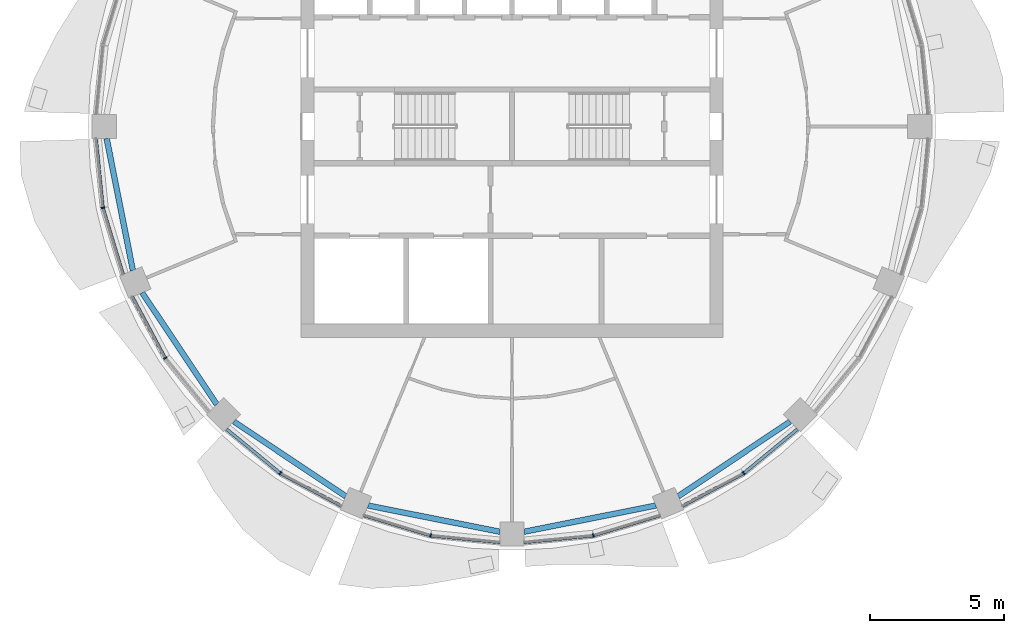
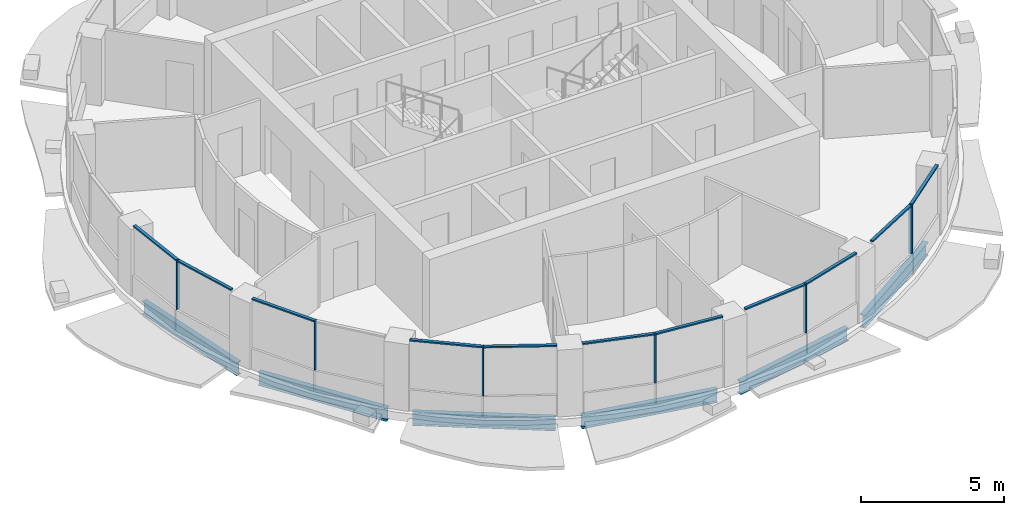
# One storey, part 2 of 14: 17 members, 6 beams, 6 elements without a shape of their own.
"""IFC4 building model written with IfcOpenShell, lengths in metres."""

from ifc_helpers import new_model, si_unit, direction, frame, origin, origin_2d, place, context, subcontext, project, spatial, rectangle, i_section, extrude, material, material_profile, profile_set, type_object, element, aggregate, save


model = new_model("IFC4")

# Units and contexts
model_context = context("Model", 3, precision=1e-05, world=origin(), true_north=direction((0.0, 1.0)))
body_context = subcontext(model_context, "Body", "Model", "MODEL_VIEW")
ifc_project = project(units=[si_unit("LENGTHUNIT", "METRE"), si_unit("AREAUNIT", "SQUARE_METRE"), si_unit("VOLUMEUNIT", "CUBIC_METRE"), si_unit("PLANEANGLEUNIT", "RADIAN"), si_unit("MASSUNIT", "GRAM", prefix="KILO")], contexts=[model_context])

# Site, building, storey
site_placement = place(None, origin())
site = spatial("IfcSite", under=ifc_project, at=site_placement, CompositionType="ELEMENT")
building_placement = place(site_placement, origin())
building = spatial("IfcBuilding", under=site, at=building_placement, Name="Polderwave Tower", CompositionType="ELEMENT")
storey_placement = place(building_placement, frame((0.0, 0.0, 221.14990234375)))
storey = spatial("IfcBuildingStorey", under=building, at=storey_placement, Name="L60", CompositionType="ELEMENT", Elevation=221.14990234375)

# Curtain wall, member
ifc_material_1 = material(Name="Aluminium 6063-T6 and glass", Category="aluminium")
curtain_wall_type = type_object("IfcCurtainWallType", Name="Office ribbon glazing wall", PredefinedType="NOTDEFINED", material=ifc_material_1)
curtain_wall_1_placement = place(storey_placement, origin())
curtain_wall_1 = element("IfcCurtainWall", 1, at=curtain_wall_1_placement, inside=storey, type_object=curtain_wall_type, Name="CW3 L60 08", PredefinedType="NOTDEFINED")
ifc_material_2 = material(Name="Aluminium 6063-T6", Category="aluminium")
ifc_material_profile_1 = material_profile(ifc_material_2, rectangle(XDim=0.139892578125, YDim=0.054931640625, at=origin_2d()), Name="AL 55x140")
ifc_profile_set_1 = profile_set([ifc_material_profile_1], Name="Aluminium 6063-T6")
member_type_1 = type_object("IfcMemberType", Name="Office ribbon glazing mullion 55x140", PredefinedType="MULLION", material=ifc_profile_set_1)
member_1_placement = place(storey_placement, frame((-15.2509765625, -3.033935546875, 0.900146484375), z_axis=(0.0, 0.0, 1.0), x_axis=(0.980784939905, 0.195092033809, 0.0)))
member_1 = element("IfcMember", 2, at=member_1_placement, type_object=member_type_1, Name="CW3 mullion 1", PredefinedType="MULLION", context=body_context, shape_type="SweptSolid", body=[
    extrude(rectangle(XDim=0.139892578125, YDim=0.054931640625, at=origin_2d()), origin(), (0.0, 0.0, 1.0), 2.099853515625),
])

curtain_wall_2_placement = place(storey_placement, origin())
curtain_wall_2 = element("IfcCurtainWall", 3, at=curtain_wall_2_placement, inside=storey, type_object=curtain_wall_type, Name="CW3 L60 09", PredefinedType="NOTDEFINED")
member_2_placement = place(storey_placement, frame((-12.928955078125, -8.638916015625, 0.900146484375), z_axis=(0.0, 0.0, 1.0), x_axis=(0.831430824157, 0.555628279195, 0.0)))
member_2 = element("IfcMember", 4, at=member_2_placement, type_object=member_type_1, Name="CW3 mullion 1", PredefinedType="MULLION", context=body_context, shape_type="SweptSolid", body=[
    extrude(rectangle(XDim=0.139892578125, YDim=0.054931640625, at=origin_2d()), origin(), (0.0, 0.0, 1.0), 2.099853515625),
])

curtain_wall_3_placement = place(storey_placement, origin())
curtain_wall_3 = element("IfcCurtainWall", 5, at=curtain_wall_3_placement, inside=storey, type_object=curtain_wall_type, Name="CW3 L60 10", PredefinedType="NOTDEFINED")
member_3_placement = place(storey_placement, frame((-8.638916015625, -12.928955078125, 0.900146484375), z_axis=(0.0, 0.0, 1.0), x_axis=(0.555628279195, 0.831430824157, 0.0)))
member_3 = element("IfcMember", 6, at=member_3_placement, type_object=member_type_1, Name="CW3 mullion 1", PredefinedType="MULLION", context=body_context, shape_type="SweptSolid", body=[
    extrude(rectangle(XDim=0.139892578125, YDim=0.054931640625, at=origin_2d()), origin(), (0.0, 0.0, 1.0), 2.099853515625),
])

curtain_wall_4_placement = place(storey_placement, origin())
curtain_wall_4 = element("IfcCurtainWall", 7, at=curtain_wall_4_placement, inside=storey, type_object=curtain_wall_type, Name="CW3 L60 11", PredefinedType="NOTDEFINED")
member_4_placement = place(storey_placement, frame((-3.033935546875, -15.2509765625, 0.900146484375), z_axis=(0.0, 0.0, 1.0), x_axis=(0.195092033809, 0.980784939905, 0.0)))
member_4 = element("IfcMember", 8, at=member_4_placement, type_object=member_type_1, Name="CW3 mullion 1", PredefinedType="MULLION", context=body_context, shape_type="SweptSolid", body=[
    extrude(rectangle(XDim=0.139892578125, YDim=0.054931640625, at=origin_2d()), origin(), (0.0, 0.0, 1.0), 2.099853515625),
])

curtain_wall_5_placement = place(storey_placement, origin())
curtain_wall_5 = element("IfcCurtainWall", 9, at=curtain_wall_5_placement, inside=storey, type_object=curtain_wall_type, Name="CW3 L60 12", PredefinedType="NOTDEFINED")
member_5_placement = place(storey_placement, frame((3.033935546875, -15.2509765625, 0.900146484375), z_axis=(0.0, 0.0, 1.0), x_axis=(-0.195092033809, 0.980784939905, 0.0)))
member_5 = element("IfcMember", 10, at=member_5_placement, type_object=member_type_1, Name="CW3 mullion 1", PredefinedType="MULLION", context=body_context, shape_type="SweptSolid", body=[
    extrude(rectangle(XDim=0.139892578125, YDim=0.054931640625, at=origin_2d()), origin(), (0.0, 0.0, 1.0), 2.099853515625),
])

curtain_wall_6_placement = place(storey_placement, origin())
curtain_wall_6 = element("IfcCurtainWall", 11, at=curtain_wall_6_placement, inside=storey, type_object=curtain_wall_type, Name="CW3 L60 13", PredefinedType="NOTDEFINED")
member_6_placement = place(storey_placement, frame((8.638916015625, -12.928955078125, 0.900146484375), z_axis=(0.0, 0.0, 1.0), x_axis=(-0.555628279195, 0.831430824157, 0.0)))
member_6 = element("IfcMember", 12, at=member_6_placement, type_object=member_type_1, Name="CW3 mullion 1", PredefinedType="MULLION", context=body_context, shape_type="SweptSolid", body=[
    extrude(rectangle(XDim=0.139892578125, YDim=0.054931640625, at=origin_2d()), origin(), (0.0, 0.0, 1.0), 2.099853515625),
])

# Member
ifc_material_profile_2 = material_profile(ifc_material_2, rectangle(XDim=0.1201171875, YDim=0.06005859375, at=origin_2d()), Name="AL 60x120")
ifc_profile_set_2 = profile_set([ifc_material_profile_2], Name="Aluminium 6063-T6")
member_type_2 = type_object("IfcMemberType", Name="Office ribbon glazing transom 60x120", PredefinedType="USERDEFINED", material=ifc_profile_set_2)
member_7_placement = place(storey_placement, frame((-15.506103515625, -0.449951171875, 2.97021484375), z_axis=(0.098261657218, -0.99516061353, 0.0), x_axis=(0.99516061353, 0.098261657218, 0.0)))
member_7 = element("IfcMember", 13, at=member_7_placement, type_object=member_type_2, Name="CW3 transom 1", ObjectType="TRANSOM", PredefinedType="USERDEFINED", context=body_context, shape_type="SweptSolid", body=[
    extrude(rectangle(XDim=0.1201171875, YDim=0.06005859375, at=origin_2d()), origin(), (0.0, 0.0, 1.0), 2.569091796875),
])

member_8_placement = place(storey_placement, frame((-15.242919921875, -3.060302734375, 2.97021484375), z_axis=(0.290041695061, -0.95701400989, 0.0), x_axis=(0.95701400989, 0.290041695061, 0.0)))
member_8 = element("IfcMember", 14, at=member_8_placement, type_object=member_type_2, Name="CW3 transom 2", ObjectType="TRANSOM", PredefinedType="USERDEFINED", context=body_context, shape_type="SweptSolid", body=[
    extrude(rectangle(XDim=0.1201171875, YDim=0.06005859375, at=origin_2d()), origin(), (0.0, 0.0, 1.0), 2.568115234375),
])

aggregate(curtain_wall_1, [member_1, member_7, member_8])

member_9_placement = place(storey_placement, frame((-14.153076171875, -6.35009765625, 2.97021484375), z_axis=(0.471609275387, -0.881807627189, 0.0), x_axis=(0.881807627189, 0.471609275387, 0.0)))
member_9 = element("IfcMember", 15, at=member_9_placement, type_object=member_type_2, Name="CW3 transom 1", ObjectType="TRANSOM", PredefinedType="USERDEFINED", context=body_context, shape_type="SweptSolid", body=[
    extrude(rectangle(XDim=0.1201171875, YDim=0.06005859375, at=origin_2d()), origin(), (0.0, 0.0, 1.0), 2.568115234375),
])

aggregate(curtain_wall_2, [member_2, member_9])

member_10_placement = place(storey_placement, frame((-10.64599609375, -11.281982421875, 2.97021484375), z_axis=(0.772990905552, -0.634417102491, 0.0), x_axis=(0.634417102491, 0.772990905552, 0.0)))
member_10 = element("IfcMember", 16, at=member_10_placement, type_object=member_type_2, Name="CW3 transom 1", ObjectType="TRANSOM", PredefinedType="USERDEFINED", context=body_context, shape_type="SweptSolid", body=[
    extrude(rectangle(XDim=0.1201171875, YDim=0.06005859375, at=origin_2d()), origin(), (0.0, 0.0, 1.0), 2.568603515625),
])

member_11_placement = place(storey_placement, frame((-8.61474609375, -12.94189453125, 2.97021484375), z_axis=(0.881807627189, -0.471609275387, 0.0), x_axis=(0.471609275387, 0.881807627189, 0.0)))
member_11 = element("IfcMember", 17, at=member_11_placement, type_object=member_type_2, Name="CW3 transom 2", ObjectType="TRANSOM", PredefinedType="USERDEFINED", context=body_context, shape_type="SweptSolid", body=[
    extrude(rectangle(XDim=0.1201171875, YDim=0.06005859375, at=origin_2d()), origin(), (0.0, 0.0, 1.0), 2.568115234375),
])

aggregate(curtain_wall_3, [member_3, member_10, member_11])

member_12_placement = place(storey_placement, frame((-5.51806640625, -14.498046875, 2.97021484375), z_axis=(0.95701400989, -0.290041695061, 0.0), x_axis=(0.290041695061, 0.95701400989, 0.0)))
member_12 = element("IfcMember", 18, at=member_12_placement, type_object=member_type_2, Name="CW3 transom 1", ObjectType="TRANSOM", PredefinedType="USERDEFINED", context=body_context, shape_type="SweptSolid", body=[
    extrude(rectangle(XDim=0.1201171875, YDim=0.06005859375, at=origin_2d()), origin(), (0.0, 0.0, 1.0), 2.568115234375),
])

member_13_placement = place(storey_placement, frame((-3.006591796875, -15.253662109375, 2.97021484375), z_axis=(0.99516061353, -0.098261657218, 0.0), x_axis=(0.098261657218, 0.99516061353, 0.0)))
member_13 = element("IfcMember", 19, at=member_13_placement, type_object=member_type_2, Name="CW3 transom 2", ObjectType="TRANSOM", PredefinedType="USERDEFINED", context=body_context, shape_type="SweptSolid", body=[
    extrude(rectangle(XDim=0.1201171875, YDim=0.06005859375, at=origin_2d()), origin(), (0.0, 0.0, 1.0), 2.569091796875),
])

aggregate(curtain_wall_4, [member_4, member_12, member_13])

member_14_placement = place(storey_placement, frame((0.449951171875, -15.506103515625, 2.97021484375), z_axis=(0.99516061353, 0.098261657218, 0.0), x_axis=(-0.098261657218, 0.99516061353, 0.0)))
member_14 = element("IfcMember", 20, at=member_14_placement, type_object=member_type_2, Name="CW3 transom 1", ObjectType="TRANSOM", PredefinedType="USERDEFINED", context=body_context, shape_type="SweptSolid", body=[
    extrude(rectangle(XDim=0.1201171875, YDim=0.06005859375, at=origin_2d()), origin(), (0.0, 0.0, 1.0), 2.569091796875),
])

member_15_placement = place(storey_placement, frame((3.060302734375, -15.242919921875, 2.97021484375), z_axis=(0.95701400989, 0.290041695061, 0.0), x_axis=(-0.290041695061, 0.95701400989, 0.0)))
member_15 = element("IfcMember", 21, at=member_15_placement, type_object=member_type_2, Name="CW3 transom 2", ObjectType="TRANSOM", PredefinedType="USERDEFINED", context=body_context, shape_type="SweptSolid", body=[
    extrude(rectangle(XDim=0.1201171875, YDim=0.06005859375, at=origin_2d()), origin(), (0.0, 0.0, 1.0), 2.568115234375),
])

aggregate(curtain_wall_5, [member_5, member_14, member_15])

member_16_placement = place(storey_placement, frame((6.35009765625, -14.153076171875, 2.97021484375), z_axis=(0.881807627189, 0.471609275387, 0.0), x_axis=(-0.471609275387, 0.881807627189, 0.0)))
member_16 = element("IfcMember", 22, at=member_16_placement, type_object=member_type_2, Name="CW3 transom 1", ObjectType="TRANSOM", PredefinedType="USERDEFINED", context=body_context, shape_type="SweptSolid", body=[
    extrude(rectangle(XDim=0.1201171875, YDim=0.06005859375, at=origin_2d()), origin(), (0.0, 0.0, 1.0), 2.568115234375),
])

member_17_placement = place(storey_placement, frame((8.660400390625, -12.91162109375, 2.97021484375), z_axis=(0.772990905552, 0.634417102491, 0.0), x_axis=(-0.634417102491, 0.772990905552, 0.0)))
member_17 = element("IfcMember", 23, at=member_17_placement, type_object=member_type_2, Name="CW3 transom 2", ObjectType="TRANSOM", PredefinedType="USERDEFINED", context=body_context, shape_type="SweptSolid", body=[
    extrude(rectangle(XDim=0.1201171875, YDim=0.06005859375, at=origin_2d()), origin(), (0.0, 0.0, 1.0), 2.568603515625),
])

aggregate(curtain_wall_6, [member_6, member_16, member_17])

# Beams
ifc_material_3 = material(Name="Steel S355", Category="steel")
ifc_material_profile_3 = material_profile(ifc_material_3, i_section(OverallWidth=0.2099609375, OverallDepth=0.550048828125, WebThickness=0.010986328125, FlangeThickness=0.01708984375, at=origin_2d()), Name="IPE 550")
ifc_profile_set_3 = profile_set([ifc_material_profile_3], Name="Steel S355")
beam_type = type_object("IfcBeamType", Name="RING BEAM IPE 550", PredefinedType="BEAM", material=ifc_profile_set_3)
for number, where, z_axis, x_axis, name in (
    (24, (-15.110595703125, -0.449951171875, -0.625), (0.195095186313, -0.980784312822, 0.0), (0.980784312822, 0.195095186313, 0.0), "ST-RB-L60-08"),
    (25, (-13.7880859375, -6.1982421875, -0.625), (0.555576499258, -0.831465425301, 0.0), (0.831465425301, 0.555576499258, 0.0), "ST-RB-L60-09"),
    (26, (-10.366455078125, -11.0029296875, -0.625), (0.831465425301, -0.555576499258, 0.0), (0.555576499258, 0.831465425301, 0.0), "ST-RB-L60-10"),
    (27, (-5.36669921875, -14.132568359375, -0.625), (0.980784312822, -0.195095186313, 0.0), (0.195095186313, 0.980784312822, 0.0), "ST-RB-L60-11"),
    (28, (0.449951171875, -15.110595703125, -0.625), (0.980784312822, 0.195095186313, 0.0), (-0.195095186313, 0.980784312822, 0.0), "ST-RB-L60-12"),
    (29, (6.1982421875, -13.7880859375, -0.625), (0.831465425301, 0.555576499258, 0.0), (-0.555576499258, 0.831465425301, 0.0), "ST-RB-L60-13"),
):
    element("IfcBeam", number, at=place(storey_placement, frame(where, z_axis=z_axis, x_axis=x_axis)), inside=storey, type_object=beam_type, Name=name, PredefinedType="BEAM", context=body_context, shape_type="SweptSolid", body=[
        extrude(i_section(OverallWidth=0.2099609375, OverallDepth=0.550048828125, WebThickness=0.010986328125, FlangeThickness=0.01708984375, at=origin_2d()), origin(), (0.0, 0.0, 1.0), 5.01318359375),
    ])

save(model, "model.ifc")
